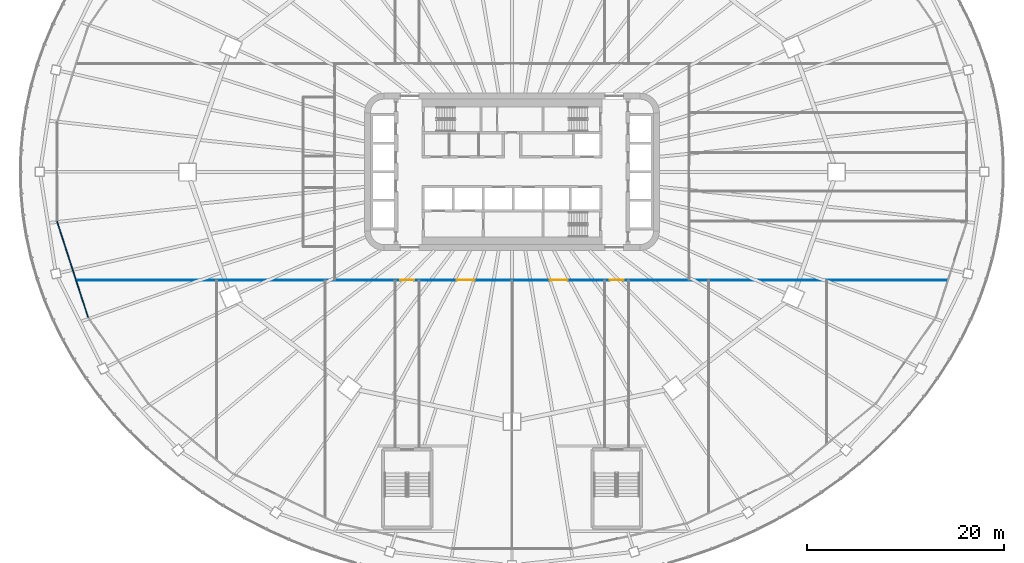
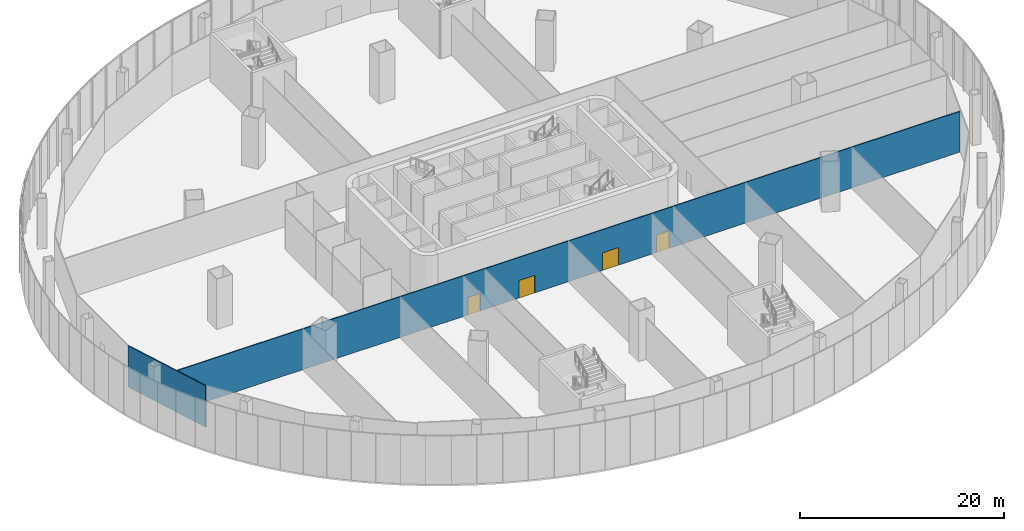
# One storey, part 21 of 37: 4 doors, 2 walls, 4 openings.
"""IFC4 building model written with IfcOpenShell, lengths in metres."""

from ifc_helpers import new_model, si_unit, direction, frame, frame_2d, origin, place, context, subcontext, project, spatial, rectangle, extrude, material, layer, layer_set, type_object, element, fill, save


model = new_model("IFC4")

# Units and contexts
model_context = context("Model", 3, precision=1e-05, world=origin(), true_north=direction((0.0, 1.0)))
body_context = subcontext(model_context, "Body", "Model", "MODEL_VIEW")
ifc_project = project(units=[si_unit("LENGTHUNIT", "METRE"), si_unit("AREAUNIT", "SQUARE_METRE"), si_unit("VOLUMEUNIT", "CUBIC_METRE"), si_unit("PLANEANGLEUNIT", "RADIAN"), si_unit("MASSUNIT", "GRAM", prefix="KILO")], contexts=[model_context])

# Site, building, storey
site_placement = place(None, origin())
site = spatial("IfcSite", under=ifc_project, at=site_placement, CompositionType="ELEMENT")
building_placement = place(site_placement, origin())
building = spatial("IfcBuilding", under=site, at=building_placement, Name="Sahrelin Media Tower", CompositionType="ELEMENT")
storey_placement = place(building_placement, frame((0.0, 0.0, 31.39990234375)))
storey = spatial("IfcBuildingStorey", under=building, at=storey_placement, Name="L04", CompositionType="ELEMENT", Elevation=31.39990234375)

# Wall
ifc_material_1 = material(Name="Gypsum board partition")
ifc_layer = layer(ifc_material_1, 0.10009765625)
ifc_layer_set = layer_set([ifc_layer], Name="Partition 100")
wall_type = type_object("IfcWallType", Name="Partition 100", PredefinedType="PARTITIONING", material=ifc_layer_set)
wall_1_placement = place(storey_placement, frame((-46.2509765625, -5.044921875, 0.0), z_axis=(0.0, 0.0, 1.0), x_axis=(0.307713034182, -0.951479210805, 0.0)))
element("IfcWall", 1, at=wall_1_placement, inside=storey, type_object=wall_type, Name="Wall", PredefinedType="PARTITIONING", context=body_context, shape_type="SweptSolid", body=[
    extrude(rectangle(XDim=10.242919921875, YDim=0.10009765625, at=frame_2d((5.12158203125, 0.0))), origin(), (0.0, 0.0, 1.0), 4.945068359375),
])

# Wall, openings, doors
wall_2_placement = place(storey_placement, frame((-44.256103515625, -11.0, 0.0), z_axis=(0.0, 0.0, 1.0), x_axis=(1.0, 0.0, 0.0)))
wall_2 = element("IfcWall", 2, at=wall_2_placement, inside=storey, type_object=wall_type, Name="Wall", PredefinedType="PARTITIONING", context=body_context, shape_type="SweptSolid", body=[
    extrude(rectangle(XDim=88.51220703125, YDim=0.10009765625, at=frame_2d((44.256103515625, 0.0))), origin(), (0.0, 0.0, 1.0), 4.868408203125),
])
opening_1_placement = place(wall_2_placement, frame((32.89990234375, 0.0, 0.0)))
opening_1 = element("IfcOpeningElement", 3, at=opening_1_placement, cuts=wall_2, Name="Opening L04-D22", PredefinedType="OPENING", context=body_context, shape_type="SweptSolid", body=[
    extrude(rectangle(XDim=1.39990234375, YDim=2.10009765625, at=frame_2d((0.699951171875, 1.050048828125))), frame((0.0, 0.050048828125, 0.0), z_axis=(0.0, -1.0, 0.0), x_axis=(1.0, 0.0, 0.0)), (0.0, 0.0, 1.0), 0.10009765625),
])
opening_2_placement = place(wall_2_placement, frame((54.199951171875, 0.0, 0.0)))
opening_2 = element("IfcOpeningElement", 4, at=opening_2_placement, cuts=wall_2, Name="Opening L04-D23", PredefinedType="OPENING", context=body_context, shape_type="SweptSolid", body=[
    extrude(rectangle(XDim=1.39990234375, YDim=2.10009765625, at=frame_2d((0.699951171875, 1.050048828125))), frame((0.0, 0.050048828125, 0.0), z_axis=(0.0, -1.0, 0.0), x_axis=(1.0, 0.0, 0.0)), (0.0, 0.0, 1.0), 0.10009765625),
])
opening_3_placement = place(wall_2_placement, frame((38.64990234375, 0.0, 0.0)))
opening_3 = element("IfcOpeningElement", 5, at=opening_3_placement, cuts=wall_2, Name="Opening L04-D30", PredefinedType="OPENING", context=body_context, shape_type="SweptSolid", body=[
    extrude(rectangle(XDim=1.800048828125, YDim=2.10009765625, at=frame_2d((0.89990234375, 1.050048828125))), frame((0.0, 0.050048828125, 0.0), z_axis=(0.0, -1.0, 0.0), x_axis=(1.0, 0.0, 0.0)), (0.0, 0.0, 1.0), 0.10009765625),
])
opening_4_placement = place(wall_2_placement, frame((48.10009765625, 0.0, 0.0)))
opening_4 = element("IfcOpeningElement", 6, at=opening_4_placement, cuts=wall_2, Name="Opening L04-D32", PredefinedType="OPENING", context=body_context, shape_type="SweptSolid", body=[
    extrude(rectangle(XDim=1.800048828125, YDim=2.10009765625, at=frame_2d((0.89990234375, 1.050048828125))), frame((0.0, 0.050048828125, 0.0), z_axis=(0.0, -1.0, 0.0), x_axis=(1.0, 0.0, 0.0)), (0.0, 0.0, 1.0), 0.10009765625),
])
ifc_material_2 = material(Name="Timber door leaf", Category="wood")
door_type_1 = type_object("IfcDoorType", Name="Double door 1800 x 2100", OperationType="DOUBLE_DOOR_SINGLE_SWING", PredefinedType="DOOR", material=ifc_material_2)
door_1_placement = place(opening_3_placement, origin())
door_1 = element("IfcDoor", 7, at=door_1_placement, inside=storey, type_object=door_type_1, Name="Double door", OperationType="DOUBLE_DOOR_SINGLE_SWING", OverallHeight=2.10009765625, OverallWidth=1.800048828125, PredefinedType="DOOR", context=body_context, shape_type="SweptSolid", body=[
    extrude(rectangle(XDim=1.800048828125, YDim=2.10009765625, at=frame_2d((0.89990234375, 1.050048828125))), frame((0.0, 0.02490234375, 0.0), z_axis=(0.0, -1.0, 0.0), x_axis=(1.0, 0.0, 0.0)), (0.0, 0.0, 1.0), 0.050048828125),
])
fill(opening_3, door_1)
door_2_placement = place(opening_4_placement, origin())
door_2 = element("IfcDoor", 8, at=door_2_placement, inside=storey, type_object=door_type_1, Name="Double door", OperationType="DOUBLE_DOOR_SINGLE_SWING", OverallHeight=2.10009765625, OverallWidth=1.800048828125, PredefinedType="DOOR", context=body_context, shape_type="SweptSolid", body=[
    extrude(rectangle(XDim=1.800048828125, YDim=2.10009765625, at=frame_2d((0.89990234375, 1.050048828125))), frame((0.0, 0.02490234375, 0.0), z_axis=(0.0, -1.0, 0.0), x_axis=(1.0, 0.0, 0.0)), (0.0, 0.0, 1.0), 0.050048828125),
])
fill(opening_4, door_2)
door_type_2 = type_object("IfcDoorType", Name="Single door 1400 x 2100", OperationType="NOTDEFINED", PredefinedType="DOOR", material=ifc_material_2)
door_3_placement = place(opening_1_placement, origin())
door_3 = element("IfcDoor", 9, at=door_3_placement, inside=storey, type_object=door_type_2, Name="Single door", OperationType="SINGLE_SWING_LEFT", OverallHeight=2.10009765625, OverallWidth=1.39990234375, PredefinedType="DOOR", context=body_context, shape_type="SweptSolid", body=[
    extrude(rectangle(XDim=1.39990234375, YDim=2.10009765625, at=frame_2d((0.699951171875, 1.050048828125))), frame((0.0, 0.02490234375, 0.0), z_axis=(0.0, -1.0, 0.0), x_axis=(1.0, 0.0, 0.0)), (0.0, 0.0, 1.0), 0.050048828125),
])
fill(opening_1, door_3)
door_4_placement = place(opening_2_placement, origin())
door_4 = element("IfcDoor", 10, at=door_4_placement, inside=storey, type_object=door_type_2, Name="Single door", OperationType="SINGLE_SWING_RIGHT", OverallHeight=2.10009765625, OverallWidth=1.39990234375, PredefinedType="DOOR", context=body_context, shape_type="SweptSolid", body=[
    extrude(rectangle(XDim=1.39990234375, YDim=2.10009765625, at=frame_2d((0.699951171875, 1.050048828125))), frame((0.0, 0.02490234375, 0.0), z_axis=(0.0, -1.0, 0.0), x_axis=(1.0, 0.0, 0.0)), (0.0, 0.0, 1.0), 0.050048828125),
])
fill(opening_2, door_4)

save(model, "model.ifc")
